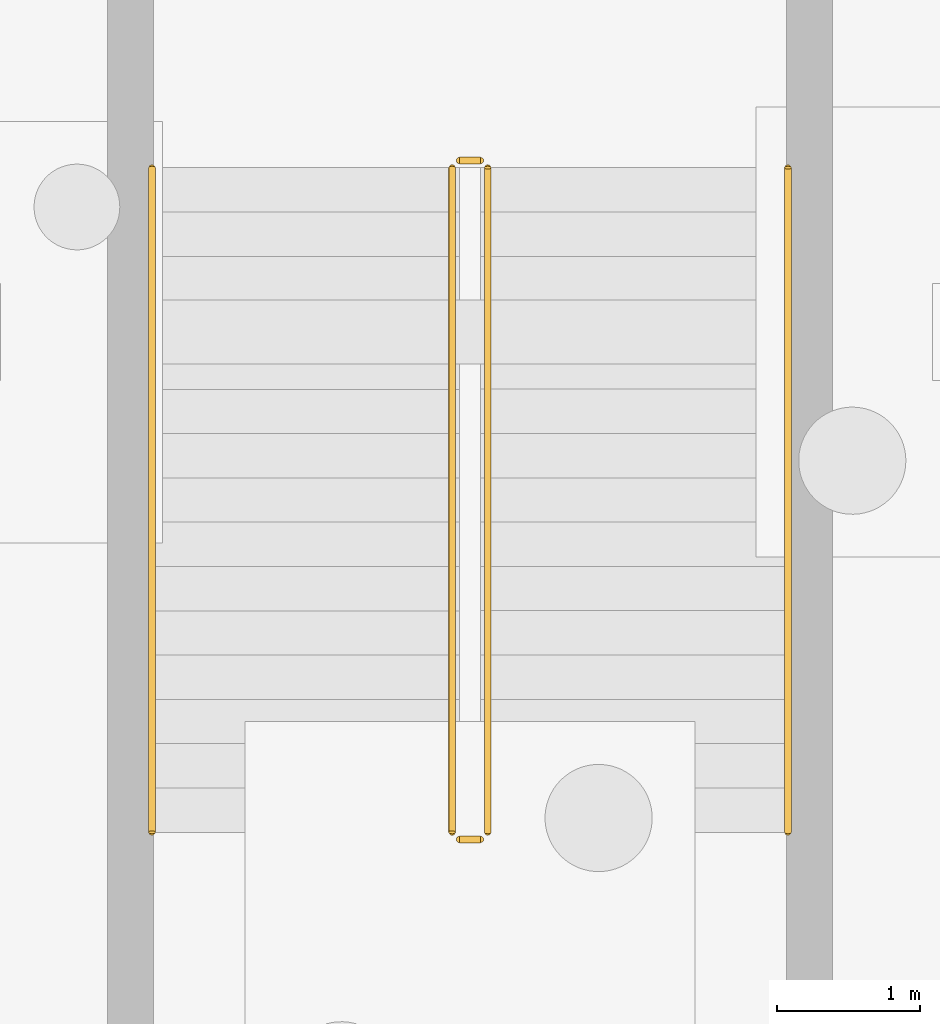
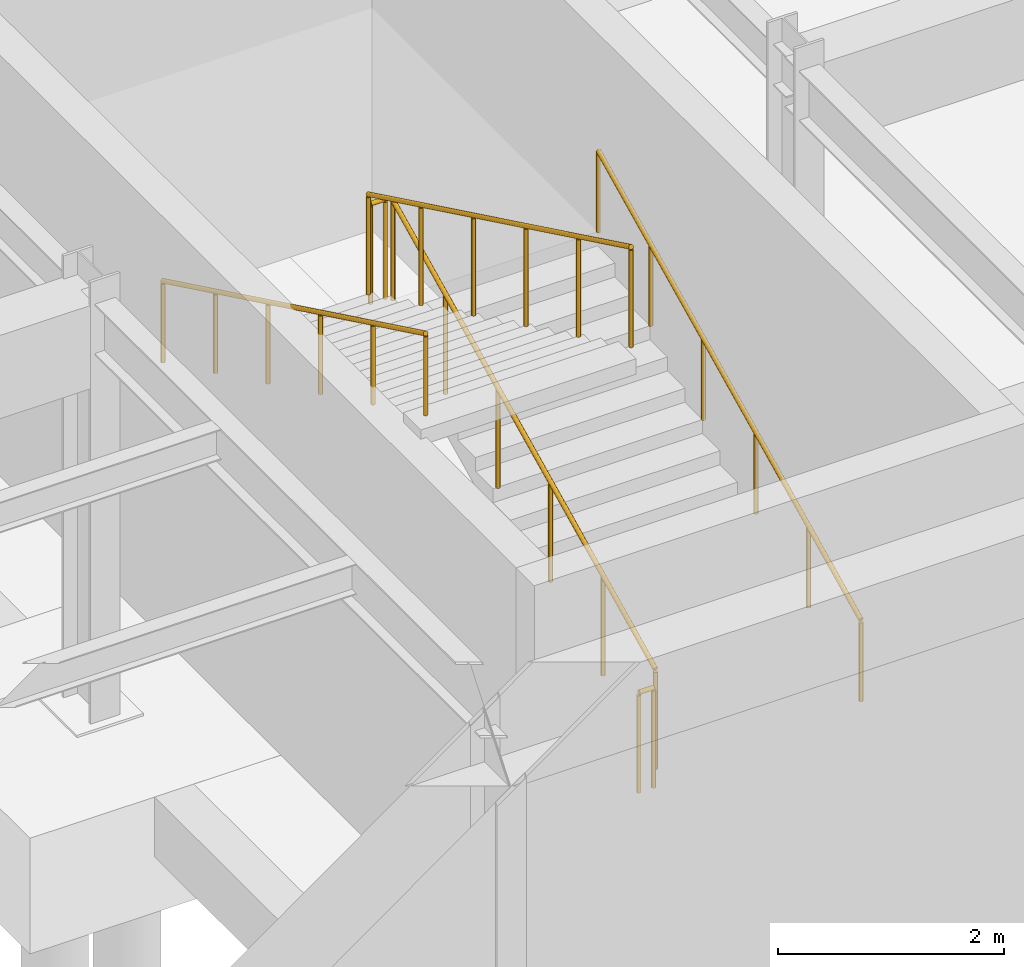
# One storey, part 52 of 64: 6 railings.
"""IFC4 building model written with IfcOpenShell, lengths in metres."""

from ifc_helpers import new_model, si_unit, direction, frame, origin, origin_2d, place, context, subcontext, project, spatial, circle, extrude, material, type_object, element, save


model = new_model("IFC4")

# Units and contexts
model_context = context("Model", 3, precision=1e-05, world=origin(), true_north=direction((0.0, 1.0)))
body_context = subcontext(model_context, "Body", "Model", "MODEL_VIEW")
ifc_project = project(units=[si_unit("LENGTHUNIT", "METRE"), si_unit("AREAUNIT", "SQUARE_METRE"), si_unit("VOLUMEUNIT", "CUBIC_METRE"), si_unit("PLANEANGLEUNIT", "RADIAN"), si_unit("MASSUNIT", "GRAM", prefix="KILO")], contexts=[model_context])

# Site, building, storey
site_placement = place(None, origin())
site = spatial("IfcSite", under=ifc_project, at=site_placement, CompositionType="ELEMENT")
building_placement = place(site_placement, origin())
building = spatial("IfcBuilding", under=site, at=building_placement, Name="Solvadek Multi-Sports Hall", CompositionType="ELEMENT")
storey_placement = place(building_placement, frame((0.0, 0.0, -4.800048828125)))
storey = spatial("IfcBuildingStorey", under=building, at=storey_placement, Name="B1", CompositionType="ELEMENT", Elevation=-4.800048828125)

# Railings
ifc_material = material(Name="Steel E250 (250 MPa)", Category="steel")
railing_type_1 = type_object("IfcRailingType", Name="INT-RAL-GRD115", PredefinedType="BALUSTRADE", material=ifc_material)
railing_1_placement = place(storey_placement, frame((18.14990234375, 24.10009765625, 0.150146484375)))
element("IfcRailing", 1, at=railing_1_placement, inside=storey, type_object=railing_type_1, Name="B1 ST-01 stair guard 1", PredefinedType="BALUSTRADE", context=body_context, shape_type="SweptSolid", body=[
    extrude(circle(Radius=0.02392578125, at=origin_2d()), frame((0.0, 0.0, 1.076171875), z_axis=(0.0, 0.900155664878, 0.435568340204), x_axis=(-1.0, 0.0, 0.0)), (0.0, 0.0, 1.0), 5.165771484375),
    extrude(circle(Radius=0.02099609375, at=origin_2d()), origin(), (0.0, 0.0, 1.0), 1.052001953125),
    extrude(circle(Radius=0.02099609375, at=origin_2d()), frame((0.0, 0.929931640625, 0.449951171875)), (0.0, 0.0, 1.0), 1.052001953125),
    extrude(circle(Radius=0.02099609375, at=origin_2d()), frame((0.0, 1.85986328125, 0.89990234375)), (0.0, 0.0, 1.0), 1.052001953125),
    extrude(circle(Radius=0.02099609375, at=origin_2d()), frame((0.0, 2.7900390625, 1.35009765625)), (0.0, 0.0, 1.0), 1.052001953125),
    extrude(circle(Radius=0.02099609375, at=origin_2d()), frame((0.0, 3.719970703125, 1.800048828125)), (0.0, 0.0, 1.0), 1.052001953125),
    extrude(circle(Radius=0.02099609375, at=origin_2d()), frame((0.0, 4.64990234375, 2.25)), (0.0, 0.0, 1.0), 1.052001953125),
])
railing_2_placement = place(storey_placement, frame((18.10009765625, 28.800048828125, 2.400146484375)))
element("IfcRailing", 2, at=railing_2_placement, inside=storey, type_object=railing_type_1, Name="B1 ST-01 stair guard 2", PredefinedType="BALUSTRADE", context=body_context, shape_type="SweptSolid", body=[
    extrude(circle(Radius=0.02392578125, at=origin_2d()), frame((0.0, 0.0, 1.076171875), z_axis=(-1.0, 0.0, 0.0), x_axis=(0.0, -1.0, 0.0)), (0.0, 0.0, 1.0), 0.150146484375),
    extrude(circle(Radius=0.02099609375, at=origin_2d()), origin(), (0.0, 0.0, 1.0), 1.052001953125),
    extrude(circle(Radius=0.02099609375, at=origin_2d()), frame((-0.150146484375, 0.0, 0.0)), (0.0, 0.0, 1.0), 1.052001953125),
])
railing_3_placement = place(storey_placement, frame((17.89990234375, 28.75, 2.550048828125)))
element("IfcRailing", 3, at=railing_3_placement, inside=storey, type_object=railing_type_1, Name="B1 ST-01 stair guard 3", PredefinedType="BALUSTRADE", context=body_context, shape_type="SweptSolid", body=[
    extrude(circle(Radius=0.02392578125, at=origin_2d()), frame((0.0, 0.0, 1.076171875), z_axis=(0.0, -0.900155664878, 0.435568340204), x_axis=(1.0, 0.0, 0.0)), (0.0, 0.0, 1.0), 5.165771484375),
    extrude(circle(Radius=0.02099609375, at=origin_2d()), origin(), (0.0, 0.0, 1.0), 1.052001953125),
    extrude(circle(Radius=0.02099609375, at=origin_2d()), frame((0.0, -0.929931640625, 0.449951171875)), (0.0, 0.0, 1.0), 1.052001953125),
    extrude(circle(Radius=0.02099609375, at=origin_2d()), frame((0.0, -1.85986328125, 0.89990234375)), (0.0, 0.0, 1.0), 1.052001953125),
    extrude(circle(Radius=0.02099609375, at=origin_2d()), frame((0.0, -2.7900390625, 1.35009765625)), (0.0, 0.0, 1.0), 1.052001953125),
    extrude(circle(Radius=0.02099609375, at=origin_2d()), frame((0.0, -3.719970703125, 1.800048828125)), (0.0, 0.0, 1.0), 1.052001953125),
    extrude(circle(Radius=0.02099609375, at=origin_2d()), frame((0.0, -4.64990234375, 2.25)), (0.0, 0.0, 1.0), 1.052001953125),
])
railing_4_placement = place(storey_placement, frame((18.10009765625, 24.050048828125, 0.0)))
element("IfcRailing", 4, at=railing_4_placement, inside=storey, type_object=railing_type_1, Name="B1 ST-01 stair guard 4", PredefinedType="BALUSTRADE", context=body_context, shape_type="SweptSolid", body=[
    extrude(circle(Radius=0.02392578125, at=origin_2d()), frame((0.0, 0.0, 1.076171875), z_axis=(-1.0, 0.0, 0.0), x_axis=(0.0, -1.0, 0.0)), (0.0, 0.0, 1.0), 0.150146484375),
    extrude(circle(Radius=0.02099609375, at=origin_2d()), origin(), (0.0, 0.0, 1.0), 1.052001953125),
    extrude(circle(Radius=0.02099609375, at=origin_2d()), frame((-0.150146484375, 0.0, 0.0)), (0.0, 0.0, 1.0), 1.052001953125),
])
railing_type_2 = type_object("IfcRailingType", Name="INT-RAL-HND090", PredefinedType="HANDRAIL", material=ifc_material)
railing_5_placement = place(storey_placement, frame((20.25, 24.10009765625, 0.150146484375)))
element("IfcRailing", 5, at=railing_5_placement, inside=storey, type_object=railing_type_2, Name="B1 ST-01 stair handrail 1", PredefinedType="HANDRAIL", context=body_context, shape_type="SweptSolid", body=[
    extrude(circle(Radius=0.02392578125, at=origin_2d()), frame((0.0, 0.0, 0.8759765625), z_axis=(0.0, 0.900155664878, 0.435568340204), x_axis=(-1.0, 0.0, 0.0)), (0.0, 0.0, 1.0), 5.165771484375),
    extrude(circle(Radius=0.02099609375, at=origin_2d()), origin(), (0.0, 0.0, 1.0), 0.851806640625),
    extrude(circle(Radius=0.02099609375, at=origin_2d()), frame((0.0, 0.929931640625, 0.449951171875)), (0.0, 0.0, 1.0), 0.851806640625),
    extrude(circle(Radius=0.02099609375, at=origin_2d()), frame((0.0, 1.85986328125, 0.89990234375)), (0.0, 0.0, 1.0), 0.851806640625),
    extrude(circle(Radius=0.02099609375, at=origin_2d()), frame((0.0, 2.7900390625, 1.35009765625)), (0.0, 0.0, 1.0), 0.851806640625),
    extrude(circle(Radius=0.02099609375, at=origin_2d()), frame((0.0, 3.719970703125, 1.800048828125)), (0.0, 0.0, 1.0), 0.851806640625),
    extrude(circle(Radius=0.02099609375, at=origin_2d()), frame((0.0, 4.64990234375, 2.25)), (0.0, 0.0, 1.0), 0.851806640625),
])
railing_6_placement = place(storey_placement, frame((15.800048828125, 28.75, 2.550048828125)))
element("IfcRailing", 6, at=railing_6_placement, inside=storey, type_object=railing_type_2, Name="B1 ST-01 stair handrail 2", PredefinedType="HANDRAIL", context=body_context, shape_type="SweptSolid", body=[
    extrude(circle(Radius=0.02392578125, at=origin_2d()), frame((0.0, 0.0, 0.8759765625), z_axis=(0.0, -0.900155664878, 0.435568340204), x_axis=(1.0, 0.0, 0.0)), (0.0, 0.0, 1.0), 5.165771484375),
    extrude(circle(Radius=0.02099609375, at=origin_2d()), origin(), (0.0, 0.0, 1.0), 0.851806640625),
    extrude(circle(Radius=0.02099609375, at=origin_2d()), frame((0.0, -0.929931640625, 0.449951171875)), (0.0, 0.0, 1.0), 0.851806640625),
    extrude(circle(Radius=0.02099609375, at=origin_2d()), frame((0.0, -1.85986328125, 0.89990234375)), (0.0, 0.0, 1.0), 0.851806640625),
    extrude(circle(Radius=0.02099609375, at=origin_2d()), frame((0.0, -2.7900390625, 1.35009765625)), (0.0, 0.0, 1.0), 0.851806640625),
    extrude(circle(Radius=0.02099609375, at=origin_2d()), frame((0.0, -3.719970703125, 1.800048828125)), (0.0, 0.0, 1.0), 0.851806640625),
    extrude(circle(Radius=0.02099609375, at=origin_2d()), frame((0.0, -4.64990234375, 2.25)), (0.0, 0.0, 1.0), 0.851806640625),
])

save(model, "model.ifc")
